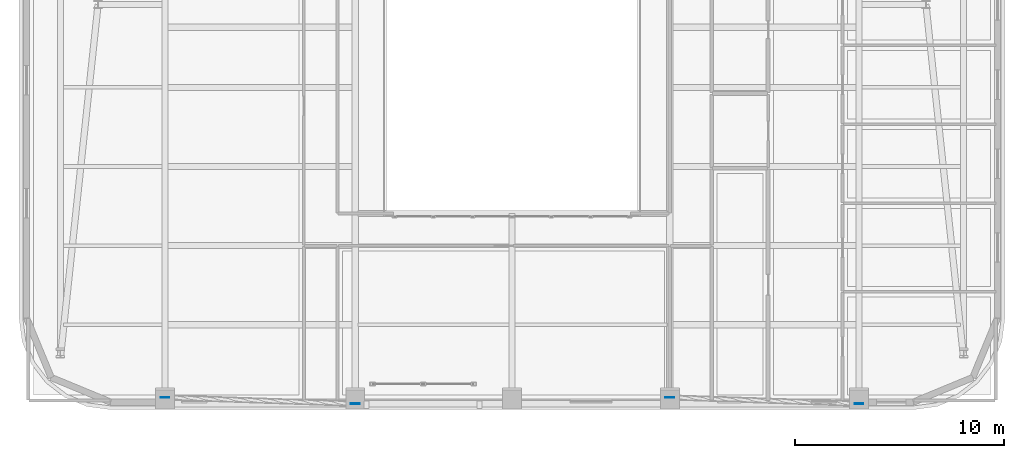
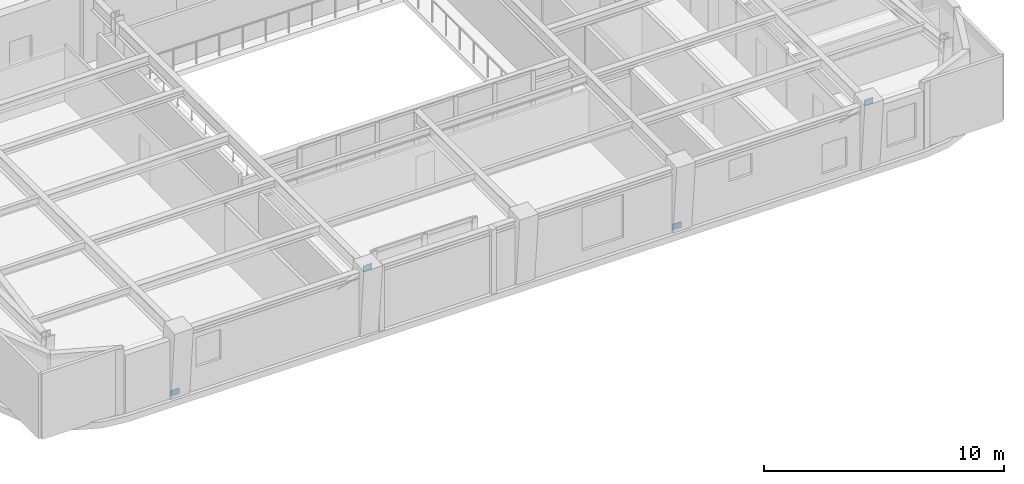
# One storey, part 5 of 13: 4 plates.
"""IFC4 building model written with IfcOpenShell, lengths in metres."""

import ifcopenshell
import ifcopenshell.guid

model = None  # the IFC model being written
_history = None  # IfcOwnerHistory: only IFC2X3 demands one
_inside = {}  # id of a spatial element -> (the spatial element, [elements in it])
_under = {}  # id of a project, library or spatial element -> (it, [spatial elements below it])
_declared = {}  # id of a project -> (the project, [libraries it declares])
_typed = {}  # id of a type object -> (the type object, [elements of that type])
_made_of = {}  # id of a material, layer set ... -> (it, [elements and type objects made of it])


def new_model(schema):
    """Start an empty IFC model of exactly this schema.

    Asked for "IFC4X3", IfcOpenShell would pick the latest addendum, in which some entities
    have other attributes; the version numbers below select the first issue.
    IFC2X3 requires an IfcOwnerHistory on every rooted entity: one is made here for all.
    """
    global model, _history
    if schema == "IFC4X3":
        model = ifcopenshell.file(schema_version=(4, 3, 0, 0))
    else:
        model = ifcopenshell.file(schema=schema)
    _inside.clear()
    _under.clear()
    _declared.clear()
    _typed.clear()
    _made_of.clear()
    _history = None
    if model.schema == "IFC2X3":
        org = make("IfcOrganization", Name="unknown")
        user = make(
            "IfcPersonAndOrganization",
            ThePerson=make("IfcPerson", FamilyName="unknown"),
            TheOrganization=org,
        )
        app = make(
            "IfcApplication",
            ApplicationDeveloper=org,
            Version="unknown",
            ApplicationFullName="unknown",
            ApplicationIdentifier="unknown",
        )
        _history = make(
            "IfcOwnerHistory",
            OwningUser=user,
            OwningApplication=app,
            ChangeAction="ADDED",
            CreationDate=0,
        )
    return model


def make(cls, **values):
    """One entity of the class cls with the attributes given. An attribute that is None is left unset."""
    return model.create_entity(
        cls, **{name: value for name, value in values.items() if value is not None}
    )


def rooted(cls, **values):
    """An entity with a GlobalId (a new one), such as an element, a storey or a relation."""
    return make(cls, GlobalId=ifcopenshell.guid.new(), OwnerHistory=_history, **values)


def si_unit(unit_type, name, prefix=None):
    """IfcSIUnit, for example si_unit("LENGTHUNIT", "METRE", prefix="MILLI")."""
    return make("IfcSIUnit", UnitType=unit_type, Prefix=prefix, Name=name)


def assignment(units):
    """IfcUnitAssignment: the units of a project."""
    return None if units is None else make("IfcUnitAssignment", Units=units)


def point(xyz):
    """IfcCartesianPoint."""
    return None if xyz is None else make("IfcCartesianPoint", Coordinates=xyz)


def direction(xyz):
    """IfcDirection."""
    return None if xyz is None else make("IfcDirection", DirectionRatios=xyz)


def frame(location, z_axis=None, x_axis=None):
    """IfcAxis2Placement3D, a coordinate frame: its origin and axes. An axis left out is left unset."""
    return make(
        "IfcAxis2Placement3D",
        Location=point(location),
        Axis=direction(z_axis),
        RefDirection=direction(x_axis),
    )


def frame_2d(location, x_axis=None):
    """IfcAxis2Placement2D, a coordinate frame in the plane: its origin and x axis."""
    return make(
        "IfcAxis2Placement2D", Location=point(location), RefDirection=direction(x_axis)
    )


def origin():
    """The frame at (0, 0, 0) with its axes left unset."""
    return frame((0.0, 0.0, 0.0))


def origin_2d():
    """The frame at (0, 0) in the plane with its x axis left unset."""
    return frame_2d((0.0, 0.0))


def place(relative_to, where):
    """IfcLocalPlacement: puts the frame where relative to a parent placement (None: the world)."""
    return make(
        "IfcLocalPlacement", PlacementRelTo=relative_to, RelativePlacement=where
    )


def context(
    kind, dimensions, precision=None, world=None, true_north=None, identifier=None
):
    """IfcGeometricRepresentationContext, for example the 3D "Model" context."""
    return make(
        "IfcGeometricRepresentationContext",
        ContextIdentifier=identifier,
        ContextType=kind,
        CoordinateSpaceDimension=dimensions,
        Precision=precision,
        WorldCoordinateSystem=world,
        TrueNorth=true_north,
    )


def subcontext(parent, identifier, kind, view, scale=None):
    """IfcGeometricRepresentationSubContext, for example "Body" below "Model"."""
    return make(
        "IfcGeometricRepresentationSubContext",
        ContextIdentifier=identifier,
        ContextType=kind,
        ParentContext=parent,
        TargetScale=scale,
        TargetView=view,
    )


def project(units=None, contexts=None):
    """IfcProject with its units and contexts."""
    return rooted(
        "IfcProject",
        Name="project",
        RepresentationContexts=contexts,
        UnitsInContext=assignment(units),
    )


def spatial(cls, under=None, at=None, **own):
    """A site, building, storey or space (cls), placed at a placement, below another one or the project."""
    s = rooted(cls, ObjectPlacement=at, **own)
    if under is not None:
        _under.setdefault(under.id(), (under, []))[1].append(s)
    return s


def profile(cls, at=None, kind="AREA", **sizes):
    """A parametric profile (cls). Its sizes go by their IFC names, for example OverallWidth=200.0."""
    return make(cls, ProfileType=kind, Position=at, **sizes)


def rectangle(**sizes):
    """IfcRectangleProfileDef."""
    return profile("IfcRectangleProfileDef", **sizes)


def extrude(swept, where, along, depth):
    """IfcExtrudedAreaSolid: the profile swept, set in the frame where, extruded along a direction by depth."""
    return make(
        "IfcExtrudedAreaSolid",
        SweptArea=swept,
        Position=where,
        ExtrudedDirection=direction(along),
        Depth=depth,
    )


def shape(context_of_items, identifier, shape_type, items):
    """IfcShapeRepresentation: the items that make up one representation, for example the "Body"."""
    return make(
        "IfcShapeRepresentation",
        ContextOfItems=context_of_items,
        RepresentationIdentifier=identifier,
        RepresentationType=shape_type,
        Items=items,
    )


def material(Name=None, Category=None):
    """IfcMaterial."""
    return make("IfcMaterial", Name=Name, Category=Category)


def layer(
    of_material, thickness, ventilated=None, Name=None, Category=None, Priority=None
):
    """IfcMaterialLayer: one layer of a wall or slab, of a material (None: an air gap)."""
    return make(
        "IfcMaterialLayer",
        Material=of_material,
        LayerThickness=thickness,
        IsVentilated=ventilated,
        Name=Name,
        Category=Category,
        Priority=Priority,
    )


def layer_set(layers, Name=None):
    """IfcMaterialLayerSet."""
    return make("IfcMaterialLayerSet", MaterialLayers=layers, LayerSetName=Name)


def made_of(thing, what):
    """Note that an element or type object is made of a material, layer set ...; save() writes the relation."""
    if what is not None:
        _made_of.setdefault(what.id(), (what, []))[1].append(thing)
    return thing


def type_object(cls, material=None, **own):
    """A type object (cls), such as IfcWallType, which elements share."""
    return made_of(rooted(cls, **own), material)


def element(
    cls,
    number,
    at=None,
    inside=None,
    cuts=None,
    type_object=None,
    material=None,
    context=None,
    identifier="Body",
    shape_type=None,
    held_by="IfcProductDefinitionShape",
    body=None,
    shapes=None,
    **own,
):
    """One element of the class cls, such as IfcWall. Its Tag is "e" and its number.

    at: its placement. inside: the storey or other place that contains it. cuts: it is an
    opening in that element (IfcRelVoidsElement). A single representation is given by context,
    identifier, shape_type and body (its items); several are given by shapes. held_by: the class
    of the entity that holds the representations. save() writes the other relations.
    """
    e = rooted(cls, Tag="e%d" % number, ObjectPlacement=at, **own)
    if body is not None:
        shapes = [shape(context, identifier, shape_type, body)]
    if shapes is not None:
        e.Representation = make(held_by, Representations=shapes)
    if inside is not None:
        _inside.setdefault(inside.id(), (inside, []))[1].append(e)
    if cuts is not None:
        rooted(
            "IfcRelVoidsElement", RelatingBuildingElement=cuts, RelatedOpeningElement=e
        )
    if type_object is not None:
        _typed.setdefault(type_object.id(), (type_object, []))[1].append(e)
    return made_of(e, material)


def aggregate(whole, parts):
    """IfcRelAggregates: a whole, such as a stair, and the parts it consists of."""
    return rooted("IfcRelAggregates", RelatingObject=whole, RelatedObjects=parts)


def save(model, path):
    """Write the relations noted so far, then the file.

    IfcRelAggregates (storeys below a building ...), IfcRelContainedInSpatialStructure (elements
    in a storey), IfcRelDefinesByType, IfcRelAssociatesMaterial and IfcRelDeclares: one each for
    every whole, place, type object, material and project.
    """
    for whole, parts in _under.values():
        aggregate(whole, parts)
    for where, things in _inside.values():
        rooted(
            "IfcRelContainedInSpatialStructure",
            RelatedElements=things,
            RelatingStructure=where,
        )
    for kind, things in _typed.values():
        rooted("IfcRelDefinesByType", RelatedObjects=things, RelatingType=kind)
    for what, things in _made_of.values():
        rooted("IfcRelAssociatesMaterial", RelatedObjects=things, RelatingMaterial=what)
    for by, libraries in _declared.values():
        rooted("IfcRelDeclares", RelatingContext=by, RelatedDefinitions=libraries)
    model.write(path)


model = new_model("IFC4")

# Units and contexts
model_context = context("Model", 3, precision=1e-05, world=origin(), true_north=direction((0.0, 1.0)))
body_context = subcontext(model_context, "Body", "Model", "MODEL_VIEW")
ifc_project = project(units=[si_unit("LENGTHUNIT", "METRE"), si_unit("AREAUNIT", "SQUARE_METRE"), si_unit("VOLUMEUNIT", "CUBIC_METRE"), si_unit("PLANEANGLEUNIT", "RADIAN"), si_unit("MASSUNIT", "GRAM", prefix="KILO")], contexts=[model_context])

# Site, building, storey
site_placement = place(None, origin())
site = spatial("IfcSite", under=ifc_project, at=site_placement, CompositionType="ELEMENT")
building_placement = place(site_placement, origin())
building = spatial("IfcBuilding", under=site, at=building_placement, Name="Zarnavel Station Tower", CompositionType="ELEMENT")
storey_placement = place(building_placement, frame((0.0, 0.0, 236.39990234375)))
storey = spatial("IfcBuildingStorey", under=building, at=storey_placement, Name="L64", CompositionType="ELEMENT", Elevation=236.39990234375)

# Plates
ifc_material = material(Name="Steel S460M", Category="steel")
ifc_layer = layer(ifc_material, 0.02490234375)
ifc_layer_set = layer_set([ifc_layer], Name="GP_GUSSET_25")
plate_type = type_object("IfcPlateType", Name="GP_GUSSET_25", PredefinedType="USERDEFINED", material=ifc_layer_set)
for number, where, z_axis, x_axis, name in (
    (1, (12.199951171875, 4.805419921875, -0.14990234375), (0.0, 0.0, 1.0), (1.0, 0.0, 0.0), "L64 Exterior Diagonal Brace End Gusset 1-1"),
    (2, (21.300048828125, 4.502685546875, 3.18994140625), (0.0, 0.0, 1.0), (1.0, 0.0, 0.0), "L64 Exterior Diagonal Brace End Gusset 1-2"),
    (3, (36.35009765625, 4.805419921875, -0.14990234375), (0.0, 0.0, 1.0), (1.0, 0.0, 0.0), "L64 Exterior Diagonal Brace End Gusset 2-1"),
    (4, (45.39990234375, 4.502685546875, 3.18994140625), (0.0, 0.0, 1.0), (1.0, 0.0, 0.0), "L64 Exterior Diagonal Brace End Gusset 2-2"),
):
    element("IfcPlate", number, at=place(storey_placement, frame(where, z_axis=z_axis, x_axis=x_axis)), inside=storey, type_object=plate_type, Name=name, ObjectType="GUSSET_PLATE", PredefinedType="USERDEFINED", context=body_context, shape_type="SweptSolid", body=[
        extrude(rectangle(XDim=0.419921875, YDim=0.02490234375, at=origin_2d()), origin(), (0.0, 0.0, 1.0), 0.300048828125),
    ])

save(model, "model.ifc")
